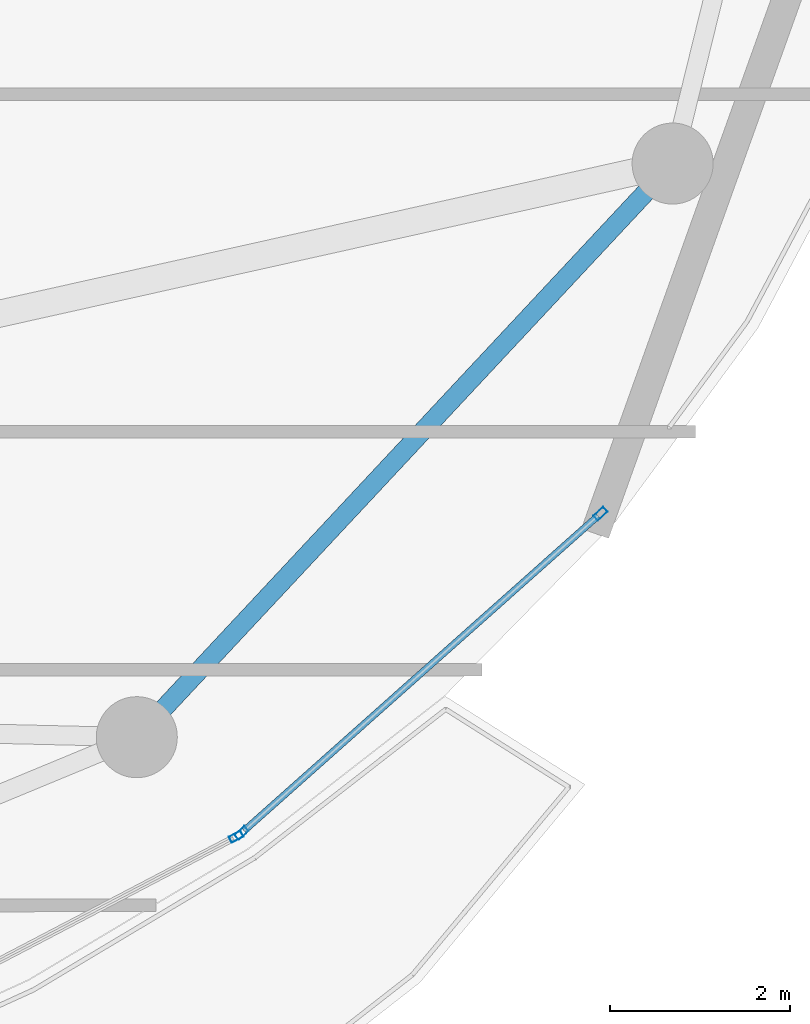
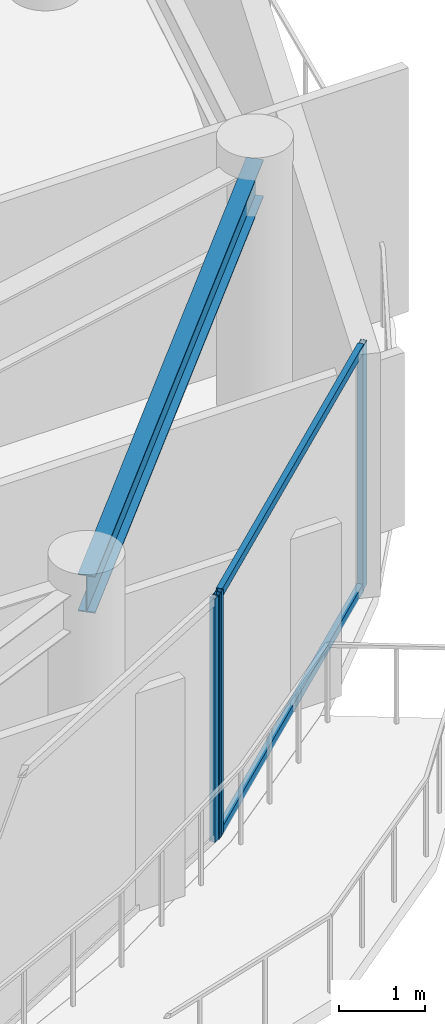
# One storey, part 15 of 29: 5 members, 1 beam, 2 elements without a shape of their own.
"""IFC4 building model written with IfcOpenShell, lengths in metres."""

from ifc_helpers import new_model, si_unit, direction, frame, origin, origin_2d, place, context, subcontext, project, spatial, hollow_rectangle, i_section, extrude, material, layer, layer_set, material_profile, profile_set, type_object, element, aggregate, save


model = new_model("IFC4")

# Units and contexts
model_context = context("Model", 3, precision=1e-05, world=origin(), true_north=direction((0.0, 1.0)))
body_context = subcontext(model_context, "Body", "Model", "MODEL_VIEW")
ifc_project = project(units=[si_unit("LENGTHUNIT", "METRE"), si_unit("AREAUNIT", "SQUARE_METRE"), si_unit("VOLUMEUNIT", "CUBIC_METRE"), si_unit("PLANEANGLEUNIT", "RADIAN"), si_unit("MASSUNIT", "GRAM", prefix="KILO")], contexts=[model_context])

# Site, building, storey
site_placement = place(None, origin())
site = spatial("IfcSite", under=ifc_project, at=site_placement, CompositionType="ELEMENT")
building_placement = place(site_placement, origin())
building = spatial("IfcBuilding", under=site, at=building_placement, Name="Kazevale Care Tower and Concert Hall", CompositionType="ELEMENT")
storey_placement = place(building_placement, frame((0.0, 0.0, 289.0)))
storey = spatial("IfcBuildingStorey", under=building, at=storey_placement, Name="L76", CompositionType="ELEMENT", Elevation=289.0)

# Curtain wall, members
ifc_material_1 = material(Name="Aluminium 6063-T6 and Low-E Glass", Category="aluminium")
ifc_layer = layer(ifc_material_1, 0.179931640625)
ifc_layer_set = layer_set([ifc_layer], Name="Aluminium 6063-T6 and Low-E Glass")
curtain_wall_type = type_object("IfcCurtainWallType", Name="Sheltered Concave Balcony Curtain Wall CW-5", PredefinedType="NOTDEFINED", material=ifc_layer_set)
curtain_wall_1_placement = place(storey_placement, origin())
curtain_wall_1 = element("IfcCurtainWall", 1, at=curtain_wall_1_placement, inside=storey, type_object=curtain_wall_type, Name="cw:L76:f02", PredefinedType="NOTDEFINED")
ifc_material_2 = material(Name="Aluminium 6063-T6", Category="aluminium")
ifc_material_profile_1 = material_profile(ifc_material_2, hollow_rectangle(XDim=0.074951171875, YDim=0.14990234375, WallThickness=0.00390625, at=origin_2d()), Name="ALU75x150x4")
ifc_profile_set_1 = profile_set([ifc_material_profile_1], Name="Aluminium 6063-T6")
member_type_1 = type_object("IfcMemberType", Name="CW-5 Mullion ALU75x150x4", PredefinedType="MULLION", material=ifc_profile_set_1)
member_1_placement = place(storey_placement, frame((69.55908203125, 25.592041015625, 0.0), z_axis=(0.0, 0.0, 1.0), x_axis=(0.664673629123, -0.747133834563, 0.0)))
member_1 = element("IfcMember", 2, at=member_1_placement, type_object=member_type_1, Name="CW-5 mullion 1", PredefinedType="MULLION", context=body_context, shape_type="SweptSolid", body=[
    extrude(hollow_rectangle(XDim=0.074951171875, YDim=0.14990234375, WallThickness=0.00390625, at=origin_2d()), origin(), (0.0, 0.0, 1.0), 3.47998046875),
])
member_2_placement = place(storey_placement, frame((65.573974609375, 22.046875, 0.0), z_axis=(0.0, 0.0, 1.0), x_axis=(0.664673629123, -0.747133834563, 0.0)))
member_2 = element("IfcMember", 3, at=member_2_placement, type_object=member_type_1, Name="CW-5 mullion 2", PredefinedType="MULLION", context=body_context, shape_type="SweptSolid", body=[
    extrude(hollow_rectangle(XDim=0.074951171875, YDim=0.14990234375, WallThickness=0.00390625, at=origin_2d()), origin(), (0.0, 0.0, 1.0), 3.47998046875),
])

# Curtain wall, member
curtain_wall_2_placement = place(storey_placement, origin())
curtain_wall_2 = element("IfcCurtainWall", 4, at=curtain_wall_2_placement, inside=storey, type_object=curtain_wall_type, Name="cw:L76:f03", PredefinedType="NOTDEFINED")
member_3_placement = place(storey_placement, frame((65.5126953125, 22.004638671875, 0.0), z_axis=(0.0, 0.0, 1.0), x_axis=(0.463680915912, -0.886002261972, 0.0)))
member_3 = element("IfcMember", 5, at=member_3_placement, type_object=member_type_1, Name="CW-5 mullion 1", PredefinedType="MULLION", context=body_context, shape_type="SweptSolid", body=[
    extrude(hollow_rectangle(XDim=0.074951171875, YDim=0.14990234375, WallThickness=0.00390625, at=origin_2d()), origin(), (0.0, 0.0, 1.0), 3.47998046875),
])
aggregate(curtain_wall_2, [member_3])

# Member
ifc_material_profile_2 = material_profile(ifc_material_2, hollow_rectangle(XDim=0.074951171875, YDim=0.1201171875, WallThickness=0.00390625, at=origin_2d()), Name="ALU75x120x4")
ifc_profile_set_2 = profile_set([ifc_material_profile_2], Name="Aluminium 6063-T6")
member_type_2 = type_object("IfcMemberType", Name="CW-5 Transom ALU75x120x4", PredefinedType="USERDEFINED", material=ifc_profile_set_2)
member_4_placement = place(storey_placement, frame((69.531005859375, 25.567138671875, 0.03759765625), z_axis=(-0.747130057657, -0.664677874572, 0.0), x_axis=(0.664677874572, -0.747130057657, 0.0)))
member_4 = element("IfcMember", 6, at=member_4_placement, type_object=member_type_2, Name="CW-5 transom 1.1", ObjectType="TRANSOM", PredefinedType="USERDEFINED", context=body_context, shape_type="SweptSolid", body=[
    extrude(hollow_rectangle(XDim=0.074951171875, YDim=0.1201171875, WallThickness=0.00390625, at=origin_2d()), origin(), (0.0, 0.0, 1.0), 5.2587890625),
])

member_5_placement = place(storey_placement, frame((69.531005859375, 25.567138671875, 3.4423828125), z_axis=(-0.747130057657, -0.664677874572, 0.0), x_axis=(0.664677874572, -0.747130057657, 0.0)))
member_5 = element("IfcMember", 7, at=member_5_placement, type_object=member_type_2, Name="CW-5 transom 1.2", ObjectType="TRANSOM", PredefinedType="USERDEFINED", context=body_context, shape_type="SweptSolid", body=[
    extrude(hollow_rectangle(XDim=0.074951171875, YDim=0.1201171875, WallThickness=0.00390625, at=origin_2d()), origin(), (0.0, 0.0, 1.0), 5.2587890625),
])

aggregate(curtain_wall_1, [member_1, member_2, member_4, member_5])

# Beam
ifc_material_3 = material(Name="Steel ASTM A572 Gr 50", Category="steel")
ifc_material_profile_3 = material_profile(ifc_material_3, i_section(OverallWidth=0.208984375, OverallDepth=0.532958984375, WebThickness=0.01025390625, FlangeThickness=0.015625, at=origin_2d()), Name="W530x92")
ifc_profile_set_3 = profile_set([ifc_material_profile_3], Name="Steel ASTM A572 Gr 50")
beam_type = type_object("IfcBeamType", Name="Upper Ring Beam W530x92", PredefinedType="BEAM", material=ifc_profile_set_3)
beam_placement = place(storey_placement, frame((64.409912109375, 23.110107421875, 3.21337890625), z_axis=(0.682623556843, 0.730770196192, 0.0), x_axis=(-0.730770196192, 0.682623556843, 0.0)))
element("IfcBeam", 8, at=beam_placement, inside=storey, type_object=beam_type, Name="beam:L76:ring:15", PredefinedType="BEAM", context=body_context, shape_type="SweptSolid", body=[
    extrude(i_section(OverallWidth=0.208984375, OverallDepth=0.532958984375, WebThickness=0.01025390625, FlangeThickness=0.015625, at=origin_2d()), origin(), (0.0, 0.0, 1.0), 8.716552734375),
])

save(model, "model.ifc")
